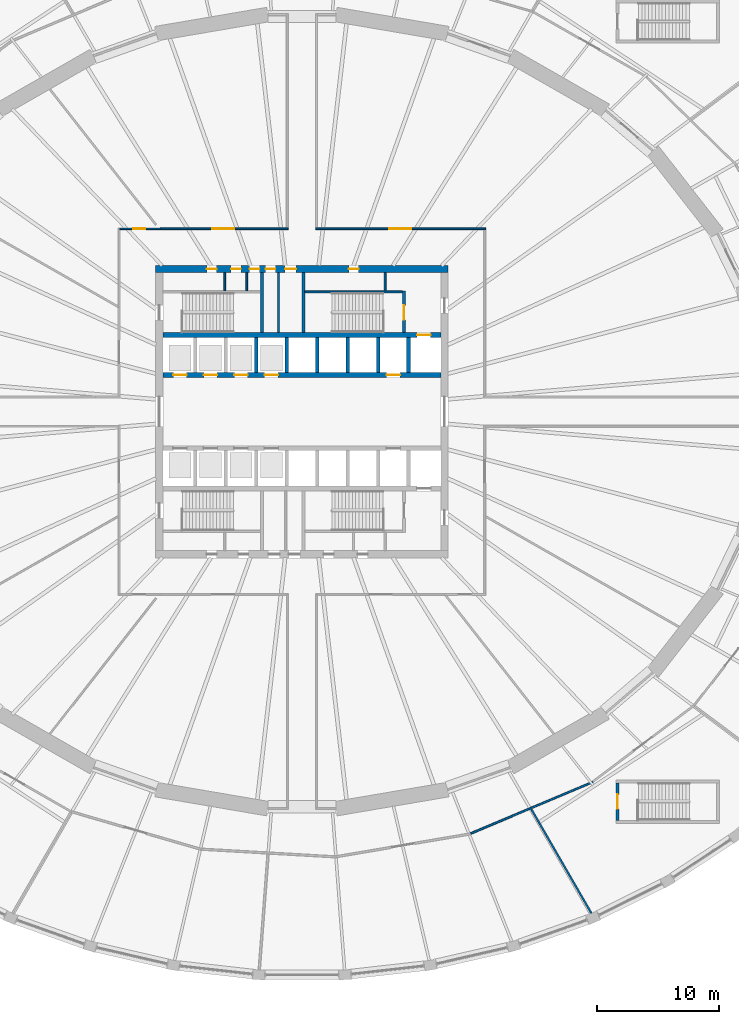
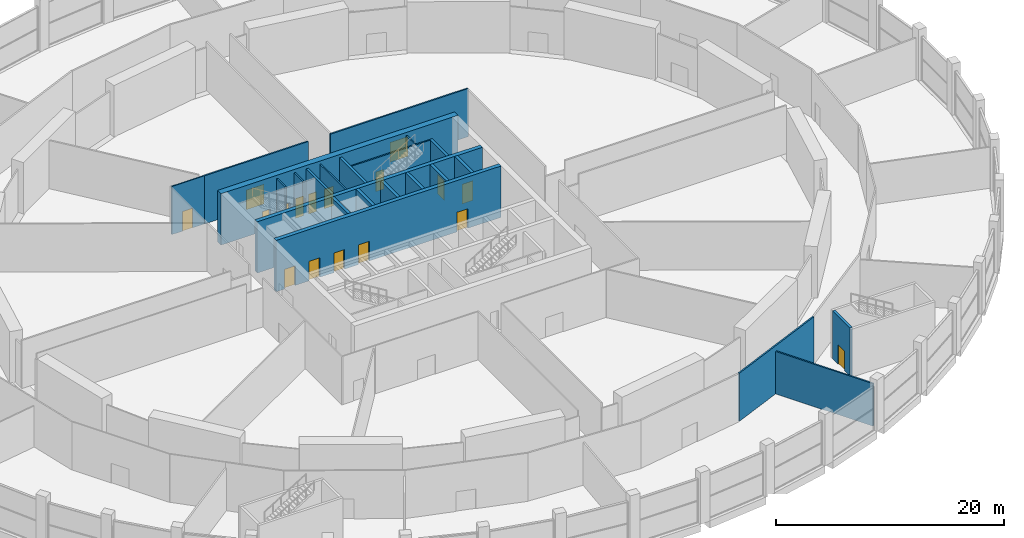
# One storey, part 23 of 29: 23 walls, 17 doors, 17 openings.
"""IFC4 building model written with IfcOpenShell, lengths in metres."""

import ifcopenshell
import ifcopenshell.guid

model = None  # the IFC model being written
_history = None  # IfcOwnerHistory: only IFC2X3 demands one
_inside = {}  # id of a spatial element -> (the spatial element, [elements in it])
_under = {}  # id of a project, library or spatial element -> (it, [spatial elements below it])
_declared = {}  # id of a project -> (the project, [libraries it declares])
_typed = {}  # id of a type object -> (the type object, [elements of that type])
_made_of = {}  # id of a material, layer set ... -> (it, [elements and type objects made of it])


def new_model(schema):
    """Start an empty IFC model of exactly this schema.

    Asked for "IFC4X3", IfcOpenShell would pick the latest addendum, in which some entities
    have other attributes; the version numbers below select the first issue.
    IFC2X3 requires an IfcOwnerHistory on every rooted entity: one is made here for all.
    """
    global model, _history
    if schema == "IFC4X3":
        model = ifcopenshell.file(schema_version=(4, 3, 0, 0))
    else:
        model = ifcopenshell.file(schema=schema)
    _inside.clear()
    _under.clear()
    _declared.clear()
    _typed.clear()
    _made_of.clear()
    _history = None
    if model.schema == "IFC2X3":
        org = make("IfcOrganization", Name="unknown")
        user = make(
            "IfcPersonAndOrganization",
            ThePerson=make("IfcPerson", FamilyName="unknown"),
            TheOrganization=org,
        )
        app = make(
            "IfcApplication",
            ApplicationDeveloper=org,
            Version="unknown",
            ApplicationFullName="unknown",
            ApplicationIdentifier="unknown",
        )
        _history = make(
            "IfcOwnerHistory",
            OwningUser=user,
            OwningApplication=app,
            ChangeAction="ADDED",
            CreationDate=0,
        )
    return model


def make(cls, **values):
    """One entity of the class cls with the attributes given. An attribute that is None is left unset."""
    return model.create_entity(
        cls, **{name: value for name, value in values.items() if value is not None}
    )


def rooted(cls, **values):
    """An entity with a GlobalId (a new one), such as an element, a storey or a relation."""
    return make(cls, GlobalId=ifcopenshell.guid.new(), OwnerHistory=_history, **values)


def si_unit(unit_type, name, prefix=None):
    """IfcSIUnit, for example si_unit("LENGTHUNIT", "METRE", prefix="MILLI")."""
    return make("IfcSIUnit", UnitType=unit_type, Prefix=prefix, Name=name)


def assignment(units):
    """IfcUnitAssignment: the units of a project."""
    return None if units is None else make("IfcUnitAssignment", Units=units)


def point(xyz):
    """IfcCartesianPoint."""
    return None if xyz is None else make("IfcCartesianPoint", Coordinates=xyz)


def direction(xyz):
    """IfcDirection."""
    return None if xyz is None else make("IfcDirection", DirectionRatios=xyz)


def frame(location, z_axis=None, x_axis=None):
    """IfcAxis2Placement3D, a coordinate frame: its origin and axes. An axis left out is left unset."""
    return make(
        "IfcAxis2Placement3D",
        Location=point(location),
        Axis=direction(z_axis),
        RefDirection=direction(x_axis),
    )


def frame_2d(location, x_axis=None):
    """IfcAxis2Placement2D, a coordinate frame in the plane: its origin and x axis."""
    return make(
        "IfcAxis2Placement2D", Location=point(location), RefDirection=direction(x_axis)
    )


def origin():
    """The frame at (0, 0, 0) with its axes left unset."""
    return frame((0.0, 0.0, 0.0))


def place(relative_to, where):
    """IfcLocalPlacement: puts the frame where relative to a parent placement (None: the world)."""
    return make(
        "IfcLocalPlacement", PlacementRelTo=relative_to, RelativePlacement=where
    )


def context(
    kind, dimensions, precision=None, world=None, true_north=None, identifier=None
):
    """IfcGeometricRepresentationContext, for example the 3D "Model" context."""
    return make(
        "IfcGeometricRepresentationContext",
        ContextIdentifier=identifier,
        ContextType=kind,
        CoordinateSpaceDimension=dimensions,
        Precision=precision,
        WorldCoordinateSystem=world,
        TrueNorth=true_north,
    )


def subcontext(parent, identifier, kind, view, scale=None):
    """IfcGeometricRepresentationSubContext, for example "Body" below "Model"."""
    return make(
        "IfcGeometricRepresentationSubContext",
        ContextIdentifier=identifier,
        ContextType=kind,
        ParentContext=parent,
        TargetScale=scale,
        TargetView=view,
    )


def project(units=None, contexts=None):
    """IfcProject with its units and contexts."""
    return rooted(
        "IfcProject",
        Name="project",
        RepresentationContexts=contexts,
        UnitsInContext=assignment(units),
    )


def spatial(cls, under=None, at=None, **own):
    """A site, building, storey or space (cls), placed at a placement, below another one or the project."""
    s = rooted(cls, ObjectPlacement=at, **own)
    if under is not None:
        _under.setdefault(under.id(), (under, []))[1].append(s)
    return s


def polyline(points):
    """IfcPolyline through the points."""
    return make("IfcPolyline", Points=[point(p) for p in points])


def profile(cls, at=None, kind="AREA", **sizes):
    """A parametric profile (cls). Its sizes go by their IFC names, for example OverallWidth=200.0."""
    return make(cls, ProfileType=kind, Position=at, **sizes)


def rectangle(**sizes):
    """IfcRectangleProfileDef."""
    return profile("IfcRectangleProfileDef", **sizes)


def outline(outer, holes=None, kind="AREA"):
    """IfcArbitraryClosedProfileDef: a profile drawn as a closed curve; with holes, ...WithVoids."""
    if holes is None:
        return make("IfcArbitraryClosedProfileDef", ProfileType=kind, OuterCurve=outer)
    return make(
        "IfcArbitraryProfileDefWithVoids",
        ProfileType=kind,
        OuterCurve=outer,
        InnerCurves=holes,
    )


def extrude(swept, where, along, depth):
    """IfcExtrudedAreaSolid: the profile swept, set in the frame where, extruded along a direction by depth."""
    return make(
        "IfcExtrudedAreaSolid",
        SweptArea=swept,
        Position=where,
        ExtrudedDirection=direction(along),
        Depth=depth,
    )


def shape(context_of_items, identifier, shape_type, items):
    """IfcShapeRepresentation: the items that make up one representation, for example the "Body"."""
    return make(
        "IfcShapeRepresentation",
        ContextOfItems=context_of_items,
        RepresentationIdentifier=identifier,
        RepresentationType=shape_type,
        Items=items,
    )


def material(Name=None, Category=None):
    """IfcMaterial."""
    return make("IfcMaterial", Name=Name, Category=Category)


def layer(
    of_material, thickness, ventilated=None, Name=None, Category=None, Priority=None
):
    """IfcMaterialLayer: one layer of a wall or slab, of a material (None: an air gap)."""
    return make(
        "IfcMaterialLayer",
        Material=of_material,
        LayerThickness=thickness,
        IsVentilated=ventilated,
        Name=Name,
        Category=Category,
        Priority=Priority,
    )


def layer_set(layers, Name=None):
    """IfcMaterialLayerSet."""
    return make("IfcMaterialLayerSet", MaterialLayers=layers, LayerSetName=Name)


def made_of(thing, what):
    """Note that an element or type object is made of a material, layer set ...; save() writes the relation."""
    if what is not None:
        _made_of.setdefault(what.id(), (what, []))[1].append(thing)
    return thing


def type_object(cls, material=None, **own):
    """A type object (cls), such as IfcWallType, which elements share."""
    return made_of(rooted(cls, **own), material)


def element(
    cls,
    number,
    at=None,
    inside=None,
    cuts=None,
    type_object=None,
    material=None,
    context=None,
    identifier="Body",
    shape_type=None,
    held_by="IfcProductDefinitionShape",
    body=None,
    shapes=None,
    **own,
):
    """One element of the class cls, such as IfcWall. Its Tag is "e" and its number.

    at: its placement. inside: the storey or other place that contains it. cuts: it is an
    opening in that element (IfcRelVoidsElement). A single representation is given by context,
    identifier, shape_type and body (its items); several are given by shapes. held_by: the class
    of the entity that holds the representations. save() writes the other relations.
    """
    e = rooted(cls, Tag="e%d" % number, ObjectPlacement=at, **own)
    if body is not None:
        shapes = [shape(context, identifier, shape_type, body)]
    if shapes is not None:
        e.Representation = make(held_by, Representations=shapes)
    if inside is not None:
        _inside.setdefault(inside.id(), (inside, []))[1].append(e)
    if cuts is not None:
        rooted(
            "IfcRelVoidsElement", RelatingBuildingElement=cuts, RelatedOpeningElement=e
        )
    if type_object is not None:
        _typed.setdefault(type_object.id(), (type_object, []))[1].append(e)
    return made_of(e, material)


def fill(opening, filler):
    """IfcRelFillsElement: the door or window that sits in an opening."""
    return rooted(
        "IfcRelFillsElement",
        RelatingOpeningElement=opening,
        RelatedBuildingElement=filler,
    )


def aggregate(whole, parts):
    """IfcRelAggregates: a whole, such as a stair, and the parts it consists of."""
    return rooted("IfcRelAggregates", RelatingObject=whole, RelatedObjects=parts)


def save(model, path):
    """Write the relations noted so far, then the file.

    IfcRelAggregates (storeys below a building ...), IfcRelContainedInSpatialStructure (elements
    in a storey), IfcRelDefinesByType, IfcRelAssociatesMaterial and IfcRelDeclares: one each for
    every whole, place, type object, material and project.
    """
    for whole, parts in _under.values():
        aggregate(whole, parts)
    for where, things in _inside.values():
        rooted(
            "IfcRelContainedInSpatialStructure",
            RelatedElements=things,
            RelatingStructure=where,
        )
    for kind, things in _typed.values():
        rooted("IfcRelDefinesByType", RelatedObjects=things, RelatingType=kind)
    for what, things in _made_of.values():
        rooted("IfcRelAssociatesMaterial", RelatedObjects=things, RelatingMaterial=what)
    for by, libraries in _declared.values():
        rooted("IfcRelDeclares", RelatingContext=by, RelatedDefinitions=libraries)
    model.write(path)


model = new_model("IFC4")

# Units and contexts
model_context = context("Model", 3, precision=1e-05, world=origin(), true_north=direction((0.0, 1.0)))
body_context = subcontext(model_context, "Body", "Model", "MODEL_VIEW")
ifc_project = project(units=[si_unit("LENGTHUNIT", "METRE"), si_unit("AREAUNIT", "SQUARE_METRE"), si_unit("VOLUMEUNIT", "CUBIC_METRE"), si_unit("PLANEANGLEUNIT", "RADIAN"), si_unit("MASSUNIT", "GRAM", prefix="KILO")], contexts=[model_context])

# Site, building, storey
site_placement = place(None, origin())
site = spatial("IfcSite", under=ifc_project, at=site_placement, CompositionType="ELEMENT")
building_placement = place(site_placement, origin())
building = spatial("IfcBuilding", under=site, at=building_placement, Name="Halqa Exchange Tower", CompositionType="ELEMENT")
storey_placement = place(building_placement, frame((0.0, 0.0, 7.0)))
storey = spatial("IfcBuildingStorey", under=building, at=storey_placement, Name="L01", CompositionType="ELEMENT", Elevation=7.0)

# Wall, opening, door
ifc_material_1 = material(Name="Fire-rated gypsum board")
ifc_layer_1 = layer(ifc_material_1, 0.14990234375)
ifc_layer_set_1 = layer_set([ifc_layer_1], Name="Fire-rated gypsum board")
wall_type_1 = type_object("IfcWallType", Name="Fire partition EI 60 150", PredefinedType="PARTITIONING", material=ifc_layer_set_1)
wall_1_placement = place(storey_placement, frame((-11.62109375, 15.0, 0.0), z_axis=(0.0, 0.0, 1.0), x_axis=(1.0, 0.0, 0.0)))
wall_1 = element("IfcWall", 1, at=wall_1_placement, inside=storey, type_object=wall_type_1, Name="L01-PWL-037", PredefinedType="PARTITIONING", context=body_context, shape_type="SweptSolid", body=[
    extrude(rectangle(XDim=10.49609375, YDim=0.14990234375, at=frame_2d((5.248046875, 0.0))), origin(), (0.0, 0.0, 1.0), 5.14990234375),
])
opening_1_placement = place(wall_1_placement, frame((4.251953125, 0.0, 0.0)))
opening_1 = element("IfcOpeningElement", 2, at=opening_1_placement, cuts=wall_1, Name="Opening L01-05", PredefinedType="OPENING", context=body_context, shape_type="SweptSolid", body=[
    extrude(rectangle(XDim=1.800048828125, YDim=2.10009765625, at=frame_2d((0.89990234375, 1.050048828125))), frame((0.0, 0.0869140625, 0.0), z_axis=(0.0, -1.0, 0.0), x_axis=(1.0, 0.0, 0.0)), (0.0, 0.0, 1.0), 0.173828125),
])
ifc_material_2 = material(Name="Steel fire door leaf", Category="steel")
door_type_1 = type_object("IfcDoorType", Name="Fire door FD30S double 1800 x 2100", OperationType="DOUBLE_DOOR_SINGLE_SWING", PredefinedType="DOOR", material=ifc_material_2)
door_1_placement = place(opening_1_placement, origin())
door_1 = element("IfcDoor", 3, at=door_1_placement, inside=storey, type_object=door_type_1, Name="L01-IDR-005", OperationType="DOUBLE_DOOR_SINGLE_SWING", OverallHeight=2.10009765625, OverallWidth=1.800048828125, PredefinedType="DOOR", context=body_context, shape_type="SweptSolid", body=[
    extrude(rectangle(XDim=1.800048828125, YDim=2.10009765625, at=frame_2d((0.89990234375, 1.050048828125))), frame((0.0, 0.02490234375, 0.0), z_axis=(0.0, -1.0, 0.0), x_axis=(1.0, 0.0, 0.0)), (0.0, 0.0, 1.0), 0.050048828125),
])
fill(opening_1, door_1)

wall_2_placement = place(storey_placement, frame((1.125, 15.0, 0.0), z_axis=(0.0, 0.0, 1.0), x_axis=(1.0, 0.0, 0.0)))
wall_2 = element("IfcWall", 4, at=wall_2_placement, inside=storey, type_object=wall_type_1, Name="L01-PWL-049", PredefinedType="PARTITIONING", context=body_context, shape_type="SweptSolid", body=[
    extrude(rectangle(XDim=13.949951171875, YDim=0.14990234375, at=frame_2d((6.97509765625, 0.0))), origin(), (0.0, 0.0, 1.0), 5.14990234375),
])
opening_2_placement = place(wall_2_placement, frame((6.06005859375, 0.0, 0.0)))
opening_2 = element("IfcOpeningElement", 5, at=opening_2_placement, cuts=wall_2, Name="Opening L01-01", PredefinedType="OPENING", context=body_context, shape_type="SweptSolid", body=[
    extrude(rectangle(XDim=1.800048828125, YDim=2.10009765625, at=frame_2d((0.89990234375, 1.050048828125))), frame((0.0, 0.0869140625, 0.0), z_axis=(0.0, -1.0, 0.0), x_axis=(1.0, 0.0, 0.0)), (0.0, 0.0, 1.0), 0.173828125),
])
door_2_placement = place(opening_2_placement, origin())
door_2 = element("IfcDoor", 6, at=door_2_placement, inside=storey, type_object=door_type_1, Name="L01-IDR-001", OperationType="DOUBLE_DOOR_SINGLE_SWING", OverallHeight=2.10009765625, OverallWidth=1.800048828125, PredefinedType="DOOR", context=body_context, shape_type="SweptSolid", body=[
    extrude(rectangle(XDim=1.800048828125, YDim=2.10009765625, at=frame_2d((0.89990234375, 1.050048828125))), frame((0.0, 0.02490234375, 0.0), z_axis=(0.0, -1.0, 0.0), x_axis=(1.0, 0.0, 0.0)), (0.0, 0.0, 1.0), 0.050048828125),
])
fill(opening_2, door_2)

# Walls
wall_3_placement = place(storey_placement, frame((13.8525390625, -34.61083984375, 0.0), z_axis=(0.0, 0.0, 1.0), x_axis=(0.9212761968, 0.388908947197, 0.0)))
element("IfcWall", 7, at=wall_3_placement, inside=storey, type_object=wall_type_1, Name="L01-PWL-058", PredefinedType="PARTITIONING", context=body_context, shape_type="SweptSolid", body=[
    extrude(rectangle(XDim=10.874755859375, YDim=0.14990234375, at=frame_2d((5.4375, 0.0))), origin(), (0.0, 0.0, 1.0), 5.14990234375),
])
wall_4_placement = place(storey_placement, frame((23.7451171875, -41.150390625, 0.0), z_axis=(0.0, 0.0, 1.0), x_axis=(-0.499854452602, 0.866109419308, 0.0)))
element("IfcWall", 8, at=wall_4_placement, inside=storey, type_object=wall_type_1, Name="L01-PWL-067", PredefinedType="PARTITIONING", context=body_context, shape_type="SweptSolid", body=[
    extrude(outline(polyline([(-0.00927734375, -0.074951171875), (9.8642578125, -0.074951171875), (9.8828125, 0.074951171875), (0.00927734375, 0.074951171875), (-0.00927734375, -0.074951171875)])), origin(), (0.0, 0.0, 1.0), 4.550048828125),
])

# Wall, opening, door
ifc_material_3 = material(Name="Fire-rated glazing", Category="glass")
ifc_layer_2 = layer(ifc_material_3, 0.1201171875)
ifc_layer_set_2 = layer_set([ifc_layer_2], Name="Fire-rated glazing")
wall_type_2 = type_object("IfcWallType", Name="Glazed fire partition EI 60 120", PredefinedType="PARTITIONING", material=ifc_layer_set_2)
wall_5_placement = place(storey_placement, frame((-14.93994140625, 15.0, 0.0), z_axis=(0.0, 0.0, 1.0), x_axis=(1.0, 0.0, 0.0)))
wall_5 = element("IfcWall", 9, at=wall_5_placement, inside=storey, type_object=wall_type_2, Name="L01-PWL-033", PredefinedType="PARTITIONING", context=body_context, shape_type="SweptSolid", body=[
    extrude(rectangle(XDim=3.3193359375, YDim=0.1201171875, at=frame_2d((1.65966796875, 0.0))), origin(), (0.0, 0.0, 1.0), 5.14990234375),
])
opening_3_placement = place(wall_5_placement, frame((1.090087890625, 0.0, 0.0)))
opening_3 = element("IfcOpeningElement", 10, at=opening_3_placement, cuts=wall_5, Name="Opening L01-06", PredefinedType="OPENING", context=body_context, shape_type="SweptSolid", body=[
    extrude(rectangle(XDim=1.0, YDim=2.10009765625, at=frame_2d((0.5, 1.050048828125))), frame((0.0, 0.072021484375, 0.0), z_axis=(0.0, -1.0, 0.0), x_axis=(1.0, 0.0, 0.0)), (0.0, 0.0, 1.0), 0.14404296875),
])
door_type_2 = type_object("IfcDoorType", Name="Fire door FD30S 1000 x 2100", OperationType="SINGLE_SWING_LEFT", PredefinedType="DOOR", material=ifc_material_2)
door_3_placement = place(opening_3_placement, origin())
door_3 = element("IfcDoor", 11, at=door_3_placement, inside=storey, type_object=door_type_2, Name="L01-IDR-006", OperationType="SINGLE_SWING_LEFT", OverallHeight=2.10009765625, OverallWidth=1.0, PredefinedType="DOOR", context=body_context, shape_type="SweptSolid", body=[
    extrude(rectangle(XDim=1.0, YDim=2.10009765625, at=frame_2d((0.5, 1.050048828125))), frame((0.0, 0.02490234375, 0.0), z_axis=(0.0, -1.0, 0.0), x_axis=(1.0, 0.0, 0.0)), (0.0, 0.0, 1.0), 0.050048828125),
])
fill(opening_3, door_3)

# Walls
ifc_material_4 = material(Name="Gypsum board")
ifc_layer_3 = layer(ifc_material_4, 0.14990234375)
ifc_layer_set_3 = layer_set([ifc_layer_3], Name="Gypsum board")
wall_type_3 = type_object("IfcWallType", Name="Penthouse riser wall 150 gypsum", PredefinedType="PARTITIONING", material=ifc_layer_set_3)
wall_6_placement = place(storey_placement, frame((-1.925048828125, 6.5, 0.0), z_axis=(0.0, 0.0, 1.0), x_axis=(0.0, 1.0, 0.0)))
element("IfcWall", 12, at=wall_6_placement, inside=storey, type_object=wall_type_3, Name="Partition W1.925 N", PredefinedType="PARTITIONING", context=body_context, shape_type="SweptSolid", body=[
    extrude(rectangle(XDim=4.89990234375, YDim=0.14990234375, at=frame_2d((2.449951171875, 0.0))), origin(), (0.0, 0.0, 1.0), 5.14990234375),
])
for number, where, z_axis, x_axis, name in (
    (13, (-6.324951171875, 9.89990234375, 0.0), (0.0, 0.0, 1.0), (0.0, 1.0, 0.0), "Partition W6.325 N"),
    (14, (-4.52490234375, 9.89990234375, 0.0), (0.0, 0.0, 1.0), (0.0, 1.0, 0.0), "Partition W4.525 N"),
    (15, (6.824951171875, 9.89990234375, 0.0), (0.0, 0.0, 1.0), (0.0, 1.0, 0.0), "Firefighting lobby west wall N"),
):
    element("IfcWall", number, at=place(storey_placement, frame(where, z_axis=z_axis, x_axis=x_axis)), inside=storey, type_object=wall_type_3, Name=name, PredefinedType="PARTITIONING", context=body_context, shape_type="SweptSolid", body=[
        extrude(rectangle(XDim=1.5, YDim=0.14990234375, at=frame_2d((0.75, 0.0))), origin(), (0.0, 0.0, 1.0), 5.14990234375),
    ])
ifc_material_5 = material(Name="Concrete C60/75", Category="concrete")
ifc_layer_4 = layer(ifc_material_5, 0.300048828125)
ifc_layer_set_4 = layer_set([ifc_layer_4], Name="Concrete C60/75")
wall_type_4 = type_object("IfcWallType", Name="RC core wall 300", PredefinedType="SHEAR", material=ifc_layer_set_4)
for number, where, z_axis, x_axis, name in (
    (16, (-3.75, 3.199951171875, 0.0), (0.0, 0.0, 1.0), (0.0, 1.0, 0.0), "Shaft divider N3"),
    (17, (-1.25, 3.199951171875, 0.0), (0.0, 0.0, 1.0), (0.0, 1.0, 0.0), "Shaft divider N4"),
    (18, (1.25, 3.199951171875, 0.0), (0.0, 0.0, 1.0), (0.0, 1.0, 0.0), "Shaft divider N5"),
    (19, (3.75, 3.199951171875, 0.0), (0.0, 0.0, 1.0), (0.0, 1.0, 0.0), "Shaft divider N6"),
    (20, (6.25, 3.199951171875, 0.0), (0.0, 0.0, 1.0), (0.0, 1.0, 0.0), "Shaft divider N7"),
    (21, (8.75, 3.199951171875, 0.0), (0.0, 0.0, 1.0), (0.0, 1.0, 0.0), "Shaft divider N8"),
):
    element("IfcWall", number, at=place(storey_placement, frame(where, z_axis=z_axis, x_axis=x_axis)), inside=storey, type_object=wall_type_4, Name=name, PredefinedType="SHEAR", context=body_context, shape_type="SweptSolid", body=[
        extrude(rectangle(XDim=2.900146484375, YDim=0.300048828125, at=frame_2d((1.4501953125, 0.0))), origin(), (0.0, 0.0, 1.0), 5.5),
    ])

# Wall, openings, doors
ifc_material_6 = material(Name="Concrete C80/95", Category="concrete")
ifc_layer_5 = layer(ifc_material_6, 0.39990234375)
ifc_layer_set_5 = layer_set([ifc_layer_5], Name="Concrete C80/95")
wall_type_5 = type_object("IfcWallType", Name="RC core wall 400 C80/95", PredefinedType="SHEAR", material=ifc_layer_set_5)
wall_7_placement = place(storey_placement, frame((-11.39990234375, 3.0, 0.0), z_axis=(0.0, 0.0, 1.0), x_axis=(1.0, 0.0, 0.0)))
wall_7 = element("IfcWall", 22, at=wall_7_placement, inside=storey, type_object=wall_type_5, Name="Lift row front wall N", PredefinedType="SHEAR", context=body_context, shape_type="SweptSolid", body=[
    extrude(rectangle(XDim=22.7998046875, YDim=0.39990234375, at=frame_2d((11.39990234375, 0.0))), origin(), (0.0, 0.0, 1.0), 5.5),
])
opening_4_placement = place(wall_7_placement, frame((0.85009765625, 0.0, 0.0)))
opening_4 = element("IfcOpeningElement", 23, at=opening_4_placement, cuts=wall_7, Name="Opening LD-LR1-L01", PredefinedType="OPENING", context=body_context, shape_type="SweptSolid", body=[
    extrude(rectangle(XDim=1.10009765625, YDim=2.10009765625, at=frame_2d((0.550048828125, 1.050048828125))), frame((0.0, 0.2119140625, 0.0), z_axis=(0.0, -1.0, 0.0), x_axis=(1.0, 0.0, 0.0)), (0.0, 0.0, 1.0), 0.423828125),
])
opening_5_placement = place(wall_7_placement, frame((3.35009765625, 0.0, 0.0)))
opening_5 = element("IfcOpeningElement", 24, at=opening_5_placement, cuts=wall_7, Name="Opening LD-LR2-L01", PredefinedType="OPENING", context=body_context, shape_type="SweptSolid", body=[
    extrude(rectangle(XDim=1.10009765625, YDim=2.10009765625, at=frame_2d((0.550048828125, 1.050048828125))), frame((0.0, 0.2119140625, 0.0), z_axis=(0.0, -1.0, 0.0), x_axis=(1.0, 0.0, 0.0)), (0.0, 0.0, 1.0), 0.423828125),
])
opening_6_placement = place(wall_7_placement, frame((5.85009765625, 0.0, 0.0)))
opening_6 = element("IfcOpeningElement", 25, at=opening_6_placement, cuts=wall_7, Name="Opening LD-LR3-L01", PredefinedType="OPENING", context=body_context, shape_type="SweptSolid", body=[
    extrude(rectangle(XDim=1.10009765625, YDim=2.10009765625, at=frame_2d((0.550048828125, 1.050048828125))), frame((0.0, 0.2119140625, 0.0), z_axis=(0.0, -1.0, 0.0), x_axis=(1.0, 0.0, 0.0)), (0.0, 0.0, 1.0), 0.423828125),
])
opening_7_placement = place(wall_7_placement, frame((8.35009765625, 0.0, 0.0)))
opening_7 = element("IfcOpeningElement", 26, at=opening_7_placement, cuts=wall_7, Name="Opening LD-LR4-L01", PredefinedType="OPENING", context=body_context, shape_type="SweptSolid", body=[
    extrude(rectangle(XDim=1.10009765625, YDim=2.10009765625, at=frame_2d((0.550048828125, 1.050048828125))), frame((0.0, 0.2119140625, 0.0), z_axis=(0.0, -1.0, 0.0), x_axis=(1.0, 0.0, 0.0)), (0.0, 0.0, 1.0), 0.423828125),
])
opening_8_placement = place(wall_7_placement, frame((18.35009765625, 0.0, 0.0)))
opening_8 = element("IfcOpeningElement", 27, at=opening_8_placement, cuts=wall_7, Name="Opening LD-SV1-L01", PredefinedType="OPENING", context=body_context, shape_type="SweptSolid", body=[
    extrude(rectangle(XDim=1.10009765625, YDim=2.10009765625, at=frame_2d((0.550048828125, 1.050048828125))), frame((0.0, 0.2119140625, 0.0), z_axis=(0.0, -1.0, 0.0), x_axis=(1.0, 0.0, 0.0)), (0.0, 0.0, 1.0), 0.423828125),
])
ifc_material_7 = material(Name="Stainless steel", Category="steel")
door_type_3 = type_object("IfcDoorType", Name="Lift landing door 1100 x 2100", OperationType="SLIDING_TO_LEFT", PredefinedType="DOOR", material=ifc_material_7)
door_4_placement = place(opening_4_placement, origin())
door_4 = element("IfcDoor", 28, at=door_4_placement, inside=storey, type_object=door_type_3, Name="Lift landing door LR1", OperationType="SLIDING_TO_LEFT", OverallHeight=2.10009765625, OverallWidth=1.10009765625, PredefinedType="DOOR", context=body_context, shape_type="SweptSolid", body=[
    extrude(rectangle(XDim=1.10009765625, YDim=2.10009765625, at=frame_2d((0.550048828125, 1.050048828125))), frame((0.0, 0.02490234375, 0.0), z_axis=(0.0, -1.0, 0.0), x_axis=(1.0, 0.0, 0.0)), (0.0, 0.0, 1.0), 0.050048828125),
])
fill(opening_4, door_4)
door_5_placement = place(opening_5_placement, origin())
door_5 = element("IfcDoor", 29, at=door_5_placement, inside=storey, type_object=door_type_3, Name="Lift landing door LR2", OperationType="SLIDING_TO_LEFT", OverallHeight=2.10009765625, OverallWidth=1.10009765625, PredefinedType="DOOR", context=body_context, shape_type="SweptSolid", body=[
    extrude(rectangle(XDim=1.10009765625, YDim=2.10009765625, at=frame_2d((0.550048828125, 1.050048828125))), frame((0.0, 0.02490234375, 0.0), z_axis=(0.0, -1.0, 0.0), x_axis=(1.0, 0.0, 0.0)), (0.0, 0.0, 1.0), 0.050048828125),
])
fill(opening_5, door_5)
door_6_placement = place(opening_6_placement, origin())
door_6 = element("IfcDoor", 30, at=door_6_placement, inside=storey, type_object=door_type_3, Name="Lift landing door LR3", OperationType="SLIDING_TO_LEFT", OverallHeight=2.10009765625, OverallWidth=1.10009765625, PredefinedType="DOOR", context=body_context, shape_type="SweptSolid", body=[
    extrude(rectangle(XDim=1.10009765625, YDim=2.10009765625, at=frame_2d((0.550048828125, 1.050048828125))), frame((0.0, 0.02490234375, 0.0), z_axis=(0.0, -1.0, 0.0), x_axis=(1.0, 0.0, 0.0)), (0.0, 0.0, 1.0), 0.050048828125),
])
fill(opening_6, door_6)
door_7_placement = place(opening_7_placement, origin())
door_7 = element("IfcDoor", 31, at=door_7_placement, inside=storey, type_object=door_type_3, Name="Lift landing door LR4", OperationType="SLIDING_TO_LEFT", OverallHeight=2.10009765625, OverallWidth=1.10009765625, PredefinedType="DOOR", context=body_context, shape_type="SweptSolid", body=[
    extrude(rectangle(XDim=1.10009765625, YDim=2.10009765625, at=frame_2d((0.550048828125, 1.050048828125))), frame((0.0, 0.02490234375, 0.0), z_axis=(0.0, -1.0, 0.0), x_axis=(1.0, 0.0, 0.0)), (0.0, 0.0, 1.0), 0.050048828125),
])
fill(opening_7, door_7)
door_8_placement = place(opening_8_placement, origin())
door_8 = element("IfcDoor", 32, at=door_8_placement, inside=storey, type_object=door_type_3, Name="Lift landing door SV1", OperationType="SLIDING_TO_LEFT", OverallHeight=2.10009765625, OverallWidth=1.10009765625, PredefinedType="DOOR", context=body_context, shape_type="SweptSolid", body=[
    extrude(rectangle(XDim=1.10009765625, YDim=2.10009765625, at=frame_2d((0.550048828125, 1.050048828125))), frame((0.0, 0.02490234375, 0.0), z_axis=(0.0, -1.0, 0.0), x_axis=(1.0, 0.0, 0.0)), (0.0, 0.0, 1.0), 0.050048828125),
])
fill(opening_8, door_8)

# Wall, opening, door
wall_8_placement = place(storey_placement, frame((-11.39990234375, 6.300048828125, 0.0), z_axis=(0.0, 0.0, 1.0), x_axis=(1.0, 0.0, 0.0)))
wall_8 = element("IfcWall", 33, at=wall_8_placement, inside=storey, type_object=wall_type_5, Name="Lift row back wall N", PredefinedType="SHEAR", context=body_context, shape_type="SweptSolid", body=[
    extrude(rectangle(XDim=22.7998046875, YDim=0.39990234375, at=frame_2d((11.39990234375, 0.0))), origin(), (0.0, 0.0, 1.0), 5.5),
])
opening_9_placement = place(wall_8_placement, frame((20.85009765625, 0.0, 0.0)))
opening_9 = element("IfcOpeningElement", 34, at=opening_9_placement, cuts=wall_8, Name="Opening LD-FF1-L01", PredefinedType="OPENING", context=body_context, shape_type="SweptSolid", body=[
    extrude(rectangle(XDim=1.10009765625, YDim=2.10009765625, at=frame_2d((0.550048828125, 1.050048828125))), frame((0.0, 0.2119140625, 0.0), z_axis=(0.0, -1.0, 0.0), x_axis=(1.0, 0.0, 0.0)), (0.0, 0.0, 1.0), 0.423828125),
])
door_9_placement = place(opening_9_placement, origin())
door_9 = element("IfcDoor", 35, at=door_9_placement, inside=storey, type_object=door_type_3, Name="Lift landing door FF1", OperationType="SLIDING_TO_LEFT", OverallHeight=2.10009765625, OverallWidth=1.10009765625, PredefinedType="DOOR", context=body_context, shape_type="SweptSolid", body=[
    extrude(rectangle(XDim=1.10009765625, YDim=2.10009765625, at=frame_2d((0.550048828125, 1.050048828125))), frame((0.0, 0.02490234375, 0.0), z_axis=(0.0, -1.0, 0.0), x_axis=(1.0, 0.0, 0.0)), (0.0, 0.0, 1.0), 0.050048828125),
])
fill(opening_9, door_9)

# Wall, openings, doors
ifc_layer_6 = layer(ifc_material_6, 0.60009765625)
ifc_layer_set_6 = layer_set([ifc_layer_6], Name="Concrete C80/95")
wall_type_6 = type_object("IfcWallType", Name="RC core wall 600 C80/95", PredefinedType="SHEAR", material=ifc_layer_set_6)
wall_9_placement = place(storey_placement, frame((-12.0, 11.699951171875, 0.0), z_axis=(0.0, 0.0, 1.0), x_axis=(1.0, 0.0, 0.0)))
wall_9 = element("IfcWall", 36, at=wall_9_placement, inside=storey, type_object=wall_type_6, Name="Core wall north", PredefinedType="SHEAR", context=body_context, shape_type="SweptSolid", body=[
    extrude(rectangle(XDim=24.0, YDim=0.60009765625, at=frame_2d((12.0, 0.0))), origin(), (0.0, 0.0, 1.0), 5.5),
])
opening_10_placement = place(wall_9_placement, frame((9.02490234375, 0.0, 0.0)))
opening_10 = element("IfcOpeningElement", 37, at=opening_10_placement, cuts=wall_9, Name="Opening L01-C25", PredefinedType="OPENING", context=body_context, shape_type="SweptSolid", body=[
    extrude(rectangle(XDim=0.800048828125, YDim=2.10009765625, at=frame_2d((0.39990234375, 1.050048828125))), frame((0.0, 0.31201171875, 0.0), z_axis=(0.0, -1.0, 0.0), x_axis=(1.0, 0.0, 0.0)), (0.0, 0.0, 1.0), 0.6240234375),
])
opening_11_placement = place(wall_9_placement, frame((10.625, 0.0, 0.0)))
opening_11 = element("IfcOpeningElement", 38, at=opening_11_placement, cuts=wall_9, Name="Opening L01-C26", PredefinedType="OPENING", context=body_context, shape_type="SweptSolid", body=[
    extrude(rectangle(XDim=0.89990234375, YDim=2.10009765625, at=frame_2d((0.449951171875, 1.050048828125))), frame((0.0, 0.31201171875, 0.0), z_axis=(0.0, -1.0, 0.0), x_axis=(1.0, 0.0, 0.0)), (0.0, 0.0, 1.0), 0.6240234375),
])
opening_12_placement = place(wall_9_placement, frame((4.199951171875, 0.0, 0.0)))
opening_12 = element("IfcOpeningElement", 39, at=opening_12_placement, cuts=wall_9, Name="Opening L01-C27", PredefinedType="OPENING", context=body_context, shape_type="SweptSolid", body=[
    extrude(rectangle(XDim=0.800048828125, YDim=2.10009765625, at=frame_2d((0.39990234375, 1.050048828125))), frame((0.0, 0.31201171875, 0.0), z_axis=(0.0, -1.0, 0.0), x_axis=(1.0, 0.0, 0.0)), (0.0, 0.0, 1.0), 0.6240234375),
])
opening_13_placement = place(wall_9_placement, frame((6.199951171875, 0.0, 0.0)))
opening_13 = element("IfcOpeningElement", 40, at=opening_13_placement, cuts=wall_9, Name="Opening L01-C28", PredefinedType="OPENING", context=body_context, shape_type="SweptSolid", body=[
    extrude(rectangle(XDim=0.800048828125, YDim=2.10009765625, at=frame_2d((0.39990234375, 1.050048828125))), frame((0.0, 0.31201171875, 0.0), z_axis=(0.0, -1.0, 0.0), x_axis=(1.0, 0.0, 0.0)), (0.0, 0.0, 1.0), 0.6240234375),
])
opening_14_placement = place(wall_9_placement, frame((7.699951171875, 0.0, 0.0)))
opening_14 = element("IfcOpeningElement", 41, at=opening_14_placement, cuts=wall_9, Name="Opening L01-C29", PredefinedType="OPENING", context=body_context, shape_type="SweptSolid", body=[
    extrude(rectangle(XDim=0.800048828125, YDim=2.10009765625, at=frame_2d((0.39990234375, 1.050048828125))), frame((0.0, 0.31201171875, 0.0), z_axis=(0.0, -1.0, 0.0), x_axis=(1.0, 0.0, 0.0)), (0.0, 0.0, 1.0), 0.6240234375),
])
opening_15_placement = place(wall_9_placement, frame((15.85009765625, 0.0, 0.0)))
opening_15 = element("IfcOpeningElement", 42, at=opening_15_placement, cuts=wall_9, Name="Opening L01-C30", PredefinedType="OPENING", context=body_context, shape_type="SweptSolid", body=[
    extrude(rectangle(XDim=0.800048828125, YDim=2.10009765625, at=frame_2d((0.39990234375, 1.050048828125))), frame((0.0, 0.31201171875, 0.0), z_axis=(0.0, -1.0, 0.0), x_axis=(1.0, 0.0, 0.0)), (0.0, 0.0, 1.0), 0.6240234375),
])
ifc_material_8 = material(Name="Timber fire door leaf", Category="wood")
door_type_4 = type_object("IfcDoorType", Name="Core room door FD30 900 x 2100", OperationType="SINGLE_SWING_LEFT", PredefinedType="DOOR", material=ifc_material_8)
door_10_placement = place(opening_11_placement, frame((0.89990234375, 0.0, 0.0), z_axis=(0.0, 0.0, 1.0), x_axis=(-1.0, 0.0, 0.0)))
door_10 = element("IfcDoor", 43, at=door_10_placement, inside=storey, type_object=door_type_4, Name="Core room door", OperationType="SINGLE_SWING_LEFT", OverallHeight=2.10009765625, OverallWidth=0.89990234375, PredefinedType="DOOR", context=body_context, shape_type="SweptSolid", body=[
    extrude(rectangle(XDim=0.89990234375, YDim=2.10009765625, at=frame_2d((0.449951171875, 1.050048828125))), frame((0.0, 0.02490234375, 0.0), z_axis=(0.0, -1.0, 0.0), x_axis=(1.0, 0.0, 0.0)), (0.0, 0.0, 1.0), 0.050048828125),
])
fill(opening_11, door_10)
door_type_5 = type_object("IfcDoorType", Name="Riser door FD60 800 x 2100", OperationType="SINGLE_SWING_LEFT", PredefinedType="DOOR", material=ifc_material_2)
door_11_placement = place(opening_10_placement, frame((0.800048828125, 0.0, 0.0), z_axis=(0.0, 0.0, 1.0), x_axis=(-1.0, 0.0, 0.0)))
door_11 = element("IfcDoor", 44, at=door_11_placement, inside=storey, type_object=door_type_5, Name="Core room door", OperationType="SINGLE_SWING_LEFT", OverallHeight=2.10009765625, OverallWidth=0.800048828125, PredefinedType="DOOR", context=body_context, shape_type="SweptSolid", body=[
    extrude(rectangle(XDim=0.800048828125, YDim=2.10009765625, at=frame_2d((0.39990234375, 1.050048828125))), frame((0.0, 0.02490234375, 0.0), z_axis=(0.0, -1.0, 0.0), x_axis=(1.0, 0.0, 0.0)), (0.0, 0.0, 1.0), 0.050048828125),
])
fill(opening_10, door_11)
door_12_placement = place(opening_12_placement, frame((0.800048828125, 0.0, 0.0), z_axis=(0.0, 0.0, 1.0), x_axis=(-1.0, 0.0, 0.0)))
door_12 = element("IfcDoor", 45, at=door_12_placement, inside=storey, type_object=door_type_5, Name="Core room door", OperationType="SINGLE_SWING_RIGHT", OverallHeight=2.10009765625, OverallWidth=0.800048828125, PredefinedType="DOOR", context=body_context, shape_type="SweptSolid", body=[
    extrude(rectangle(XDim=0.800048828125, YDim=2.10009765625, at=frame_2d((0.39990234375, 1.050048828125))), frame((0.0, 0.02490234375, 0.0), z_axis=(0.0, -1.0, 0.0), x_axis=(1.0, 0.0, 0.0)), (0.0, 0.0, 1.0), 0.050048828125),
])
fill(opening_12, door_12)
door_13_placement = place(opening_13_placement, frame((0.800048828125, 0.0, 0.0), z_axis=(0.0, 0.0, 1.0), x_axis=(-1.0, 0.0, 0.0)))
door_13 = element("IfcDoor", 46, at=door_13_placement, inside=storey, type_object=door_type_5, Name="Core room door", OperationType="SINGLE_SWING_RIGHT", OverallHeight=2.10009765625, OverallWidth=0.800048828125, PredefinedType="DOOR", context=body_context, shape_type="SweptSolid", body=[
    extrude(rectangle(XDim=0.800048828125, YDim=2.10009765625, at=frame_2d((0.39990234375, 1.050048828125))), frame((0.0, 0.02490234375, 0.0), z_axis=(0.0, -1.0, 0.0), x_axis=(1.0, 0.0, 0.0)), (0.0, 0.0, 1.0), 0.050048828125),
])
fill(opening_13, door_13)
door_14_placement = place(opening_14_placement, frame((0.800048828125, 0.0, 0.0), z_axis=(0.0, 0.0, 1.0), x_axis=(-1.0, 0.0, 0.0)))
door_14 = element("IfcDoor", 47, at=door_14_placement, inside=storey, type_object=door_type_5, Name="Core room door", OperationType="SINGLE_SWING_RIGHT", OverallHeight=2.10009765625, OverallWidth=0.800048828125, PredefinedType="DOOR", context=body_context, shape_type="SweptSolid", body=[
    extrude(rectangle(XDim=0.800048828125, YDim=2.10009765625, at=frame_2d((0.39990234375, 1.050048828125))), frame((0.0, 0.02490234375, 0.0), z_axis=(0.0, -1.0, 0.0), x_axis=(1.0, 0.0, 0.0)), (0.0, 0.0, 1.0), 0.050048828125),
])
fill(opening_14, door_14)
door_15_placement = place(opening_15_placement, frame((0.800048828125, 0.0, 0.0), z_axis=(0.0, 0.0, 1.0), x_axis=(-1.0, 0.0, 0.0)))
door_15 = element("IfcDoor", 48, at=door_15_placement, inside=storey, type_object=door_type_5, Name="Core room door", OperationType="SINGLE_SWING_RIGHT", OverallHeight=2.10009765625, OverallWidth=0.800048828125, PredefinedType="DOOR", context=body_context, shape_type="SweptSolid", body=[
    extrude(rectangle(XDim=0.800048828125, YDim=2.10009765625, at=frame_2d((0.39990234375, 1.050048828125))), frame((0.0, 0.02490234375, 0.0), z_axis=(0.0, -1.0, 0.0), x_axis=(1.0, 0.0, 0.0)), (0.0, 0.0, 1.0), 0.050048828125),
])
fill(opening_15, door_15)

# Walls
ifc_material_9 = material(Name="Concrete C30/37", Category="concrete")
ifc_layer_7 = layer(ifc_material_9, 0.14990234375)
ifc_layer_set_7 = layer_set([ifc_layer_7], Name="Concrete C30/37")
wall_type_7 = type_object("IfcWallType", Name="RC stair wall 150 C30/37", PredefinedType="SHEAR", material=ifc_layer_set_7)
wall_10_placement = place(storey_placement, frame((0.25, 9.824951171875, 0.0), z_axis=(0.0, 0.0, 1.0), x_axis=(1.0, 0.0, 0.0)))
element("IfcWall", 49, at=wall_10_placement, inside=storey, type_object=wall_type_7, Name="Stair ST2 north wall N", PredefinedType="SHEAR", context=body_context, shape_type="SweptSolid", body=[
    extrude(rectangle(XDim=8.0, YDim=0.14990234375, at=frame_2d((4.0, 0.0))), origin(), (0.0, 0.0, 1.0), 5.14990234375),
])
ifc_layer_8 = layer(ifc_material_9, 0.25)
ifc_layer_set_8 = layer_set([ifc_layer_8], Name="Concrete C30/37")
wall_type_8 = type_object("IfcWallType", Name="RC stair wall 250 C30/37", PredefinedType="SHEAR", material=ifc_layer_set_8)
for number, where, z_axis, x_axis, name in (
    (50, (-3.27490234375, 6.5, 0.0), (0.0, 0.0, 1.0), (0.0, 1.0, 0.0), "Stair ST1 east wall N"),
    (51, (0.125, 6.5, 0.0), (0.0, 0.0, 1.0), (0.0, 1.0, 0.0), "Stair ST2 west wall N"),
):
    element("IfcWall", number, at=place(storey_placement, frame(where, z_axis=z_axis, x_axis=x_axis)), inside=storey, type_object=wall_type_8, Name=name, PredefinedType="SHEAR", context=body_context, shape_type="SweptSolid", body=[
        extrude(rectangle(XDim=4.89990234375, YDim=0.25, at=frame_2d((2.449951171875, 0.0))), origin(), (0.0, 0.0, 1.0), 5.14990234375),
    ])

# Wall, opening, door
wall_11_placement = place(storey_placement, frame((8.375, 6.5, 0.0), z_axis=(0.0, 0.0, 1.0), x_axis=(0.0, 1.0, 0.0)))
wall_11 = element("IfcWall", 52, at=wall_11_placement, inside=storey, type_object=wall_type_8, Name="Stair ST2 east wall N", PredefinedType="SHEAR", context=body_context, shape_type="SweptSolid", body=[
    extrude(rectangle(XDim=3.39990234375, YDim=0.25, at=frame_2d((1.699951171875, 0.0))), origin(), (0.0, 0.0, 1.0), 5.14990234375),
])
opening_16_placement = place(wall_11_placement, frame((1.02490234375, 0.0, 0.0)))
opening_16 = element("IfcOpeningElement", 53, at=opening_16_placement, cuts=wall_11, Name="Opening L01-C20", PredefinedType="OPENING", context=body_context, shape_type="SweptSolid", body=[
    extrude(rectangle(XDim=1.199951171875, YDim=2.10009765625, at=frame_2d((0.60009765625, 1.050048828125))), frame((0.0, 0.136962890625, 0.0), z_axis=(0.0, -1.0, 0.0), x_axis=(1.0, 0.0, 0.0)), (0.0, 0.0, 1.0), 0.27392578125),
])
door_type_6 = type_object("IfcDoorType", Name="Stair door FD90 1200 x 2100", OperationType="SINGLE_SWING_LEFT", PredefinedType="DOOR", material=ifc_material_2)
door_16_placement = place(opening_16_placement, origin())
door_16 = element("IfcDoor", 54, at=door_16_placement, inside=storey, type_object=door_type_6, Name="Stair door ST2", OperationType="SINGLE_SWING_LEFT", OverallHeight=2.10009765625, OverallWidth=1.199951171875, PredefinedType="DOOR", context=body_context, shape_type="SweptSolid", body=[
    extrude(rectangle(XDim=1.199951171875, YDim=2.10009765625, at=frame_2d((0.60009765625, 1.050048828125))), frame((0.0, 0.02490234375, 0.0), z_axis=(0.0, -1.0, 0.0), x_axis=(1.0, 0.0, 0.0)), (0.0, 0.0, 1.0), 0.050048828125),
])
fill(opening_16, door_16)

wall_12_placement = place(storey_placement, frame((25.875, -33.52490234375, 0.0), z_axis=(0.0, 0.0, 1.0), x_axis=(0.0, 1.0, 0.0)))
wall_12 = element("IfcWall", 55, at=wall_12_placement, inside=storey, type_object=wall_type_8, Name="Stair PS2 wall west", PredefinedType="SHEAR", context=body_context, shape_type="SweptSolid", body=[
    extrude(rectangle(XDim=3.0498046875, YDim=0.25, at=frame_2d((1.52490234375, 0.0))), origin(), (0.0, 0.0, 1.0), 5.14990234375),
])
opening_17_placement = place(wall_12_placement, frame((0.925048828125, 0.0, 0.0)))
opening_17 = element("IfcOpeningElement", 56, at=opening_17_placement, cuts=wall_12, Name="Opening L01-C16", PredefinedType="OPENING", context=body_context, shape_type="SweptSolid", body=[
    extrude(rectangle(XDim=1.199951171875, YDim=2.10009765625, at=frame_2d((0.60009765625, 1.050048828125))), frame((0.0, 0.136962890625, 0.0), z_axis=(0.0, -1.0, 0.0), x_axis=(1.0, 0.0, 0.0)), (0.0, 0.0, 1.0), 0.27392578125),
])
door_17_placement = place(opening_17_placement, origin())
door_17 = element("IfcDoor", 57, at=door_17_placement, inside=storey, type_object=door_type_6, Name="Stair door PS2", OperationType="SINGLE_SWING_LEFT", OverallHeight=2.10009765625, OverallWidth=1.199951171875, PredefinedType="DOOR", context=body_context, shape_type="SweptSolid", body=[
    extrude(rectangle(XDim=1.199951171875, YDim=2.10009765625, at=frame_2d((0.60009765625, 1.050048828125))), frame((0.0, 0.02490234375, 0.0), z_axis=(0.0, -1.0, 0.0), x_axis=(1.0, 0.0, 0.0)), (0.0, 0.0, 1.0), 0.050048828125),
])
fill(opening_17, door_17)

save(model, "model.ifc")
